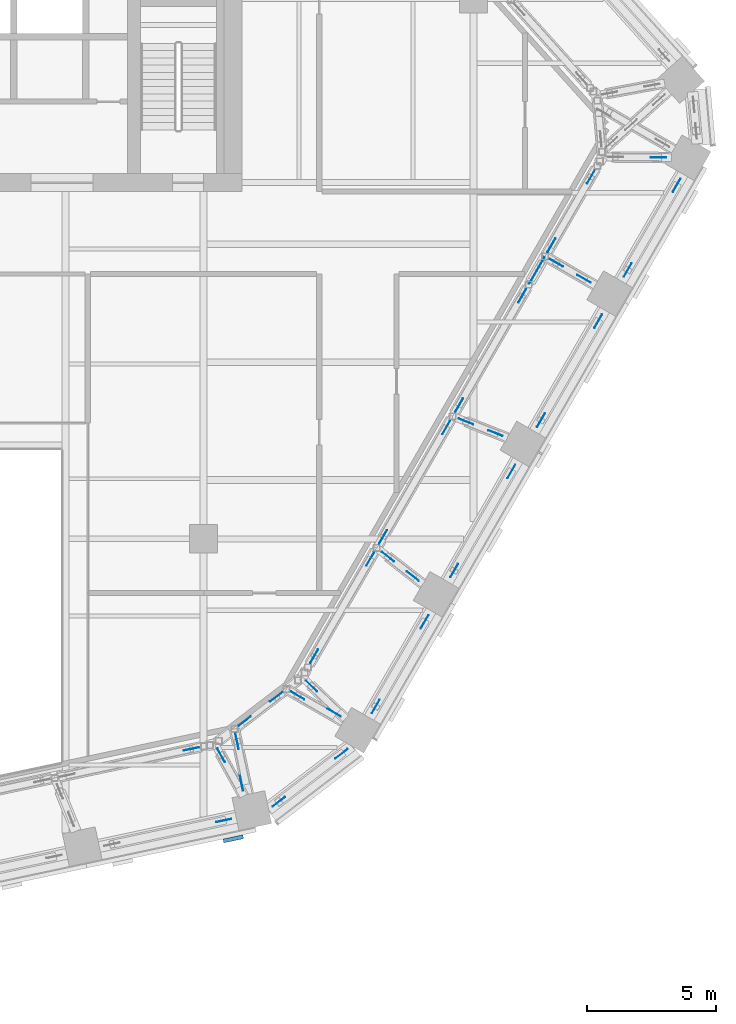
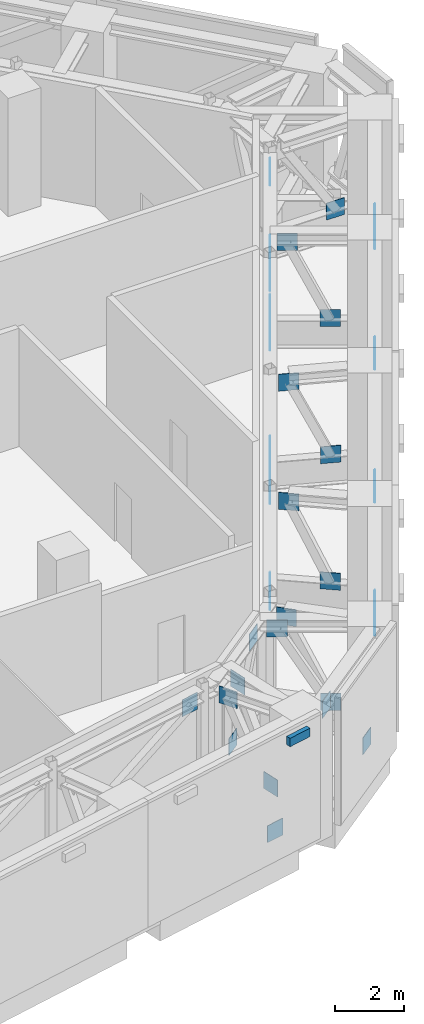
# One storey, part 22 of 26: 38 discrete accessories.
"""IFC4 building model written with IfcOpenShell, lengths in metres."""

from ifc_helpers import new_model, si_unit, direction, frame, origin, origin_2d, place, context, subcontext, project, spatial, rectangle, extrude, material, type_object, element, save


model = new_model("IFC4")

# Units and contexts
model_context = context("Model", 3, precision=1e-05, world=origin(), true_north=direction((0.0, 1.0)))
body_context = subcontext(model_context, "Body", "Model", "MODEL_VIEW")
ifc_project = project(units=[si_unit("LENGTHUNIT", "METRE"), si_unit("AREAUNIT", "SQUARE_METRE"), si_unit("VOLUMEUNIT", "CUBIC_METRE"), si_unit("PLANEANGLEUNIT", "RADIAN"), si_unit("MASSUNIT", "GRAM", prefix="KILO")], contexts=[model_context])

# Site, building, storey
site_placement = place(None, origin())
site = spatial("IfcSite", under=ifc_project, at=site_placement, CompositionType="ELEMENT")
building_placement = place(site_placement, origin())
building = spatial("IfcBuilding", under=site, at=building_placement, Name="Isthmus Gate Tower", CompositionType="ELEMENT")
storey_placement = place(building_placement, frame((0.0, 0.0, 207.300048828125)))
storey = spatial("IfcBuildingStorey", under=building, at=storey_placement, Name="L52", CompositionType="ELEMENT", Elevation=207.300048828125)

# Discrete accessories
ifc_material_1 = material(Name="Structural steel ASTM A572 Gr 50, white paint system", Category="steel")
discrete_accessory_type_1 = type_object("IfcDiscreteAccessoryType", Name="FIN BRACKET 784 X 150 X 300", PredefinedType="BRACKET", material=ifc_material_1)
discrete_accessory_placement = place(storey_placement, frame((14.65869140625, -25.165283203125, 3.94970703125), z_axis=(0.0, 0.0, 1.0), x_axis=(0.207911690818, -0.978147600734, 0.0)))
element("IfcDiscreteAccessory", 1, at=discrete_accessory_placement, inside=storey, type_object=discrete_accessory_type_1, Name="FIN BRACKET", PredefinedType="BRACKET", context=body_context, shape_type="SweptSolid", body=[
    extrude(rectangle(XDim=0.14990234375, YDim=0.78369140625, at=origin_2d()), origin(), (0.0, 0.0, 1.0), 0.300048828125),
])
ifc_material_2 = material(Name="Structural steel ASTM A992 Gr 50", Category="steel")
discrete_accessory_type_2 = type_object("IfcDiscreteAccessoryType", Name="GUSSET PLATE 600 X 20", PredefinedType="USERDEFINED", material=ifc_material_2)
for number, where, z_axis, x_axis, name in (
    (2, (31.896728515625, 0.24658203125, 0.163330078125), (0.0, 0.0, 1.0), (-0.5, -0.866025403784, 0.0), "GUSSET PLATE"),
    (3, (29.99658203125, -3.04443359375, 3.4365234375), (0.0, 0.0, 1.0), (-0.5, -0.866025403784, 0.0), "GUSSET PLATE"),
    (4, (28.8466796875, -5.0361328125, 0.163330078125), (0.0, 0.0, 1.0), (-0.5, -0.866025403784, 0.0), "GUSSET PLATE"),
    (5, (26.62158203125, -8.89013671875, 3.4365234375), (0.0, 0.0, 1.0), (-0.5, -0.866025403784, 0.0), "GUSSET PLATE"),
    (6, (25.471435546875, -10.882080078125, 0.163330078125), (0.0, 0.0, 1.0), (-0.5, -0.866025403784, 0.0), "GUSSET PLATE"),
    (7, (23.24658203125, -14.73583984375, 3.4365234375), (0.0, 0.0, 1.0), (-0.5, -0.866025403784, 0.0), "GUSSET PLATE"),
    (8, (22.096435546875, -16.727783203125, 0.163330078125), (0.0, 0.0, 1.0), (-0.5, -0.866025403784, 0.0), "GUSSET PLATE"),
    (9, (20.196533203125, -20.018798828125, 3.4365234375), (0.0, 0.0, 1.0), (-0.5, -0.866025403784, 0.0), "GUSSET PLATE"),
    (10, (18.86328125, -21.860595703125, 0.163330078125), (0.0, 0.0, 1.0), (-0.794188594387, -0.607671355706, 0.0), "GUSSET PLATE"),
    (11, (16.4306640625, -23.72216796875, 3.4365234375), (0.0, 0.0, 1.0), (-0.794188594387, -0.607671355706, 0.0), "GUSSET PLATE"),
    (12, (14.283935546875, -24.45263671875, 0.163330078125), (0.0, 0.0, 1.0), (-0.978147600734, -0.207911690818, 0.0), "GUSSET PLATE"),
    (13, (14.97900390625, -23.001708984375, 0.680908203125), (0.0, 0.0, 1.0), (-0.207911690818, 0.978147600734, 0.0), "GUSSET PLATE"),
    (14, (14.806396484375, -21.379638671875, 3.384033203125), (0.0, 0.0, 1.0), (-0.207911690818, 0.978147600734, 0.0), "GUSSET PLATE"),
    (15, (18.577880859375, -20.2548828125, 0.680908203125), (0.0, 0.0, 1.0), (-0.866025403784, 0.5, 0.0), "GUSSET PLATE"),
    (16, (17.158447265625, -19.5927734375, 3.384033203125), (0.0, 0.0, 1.0), (-0.866025403784, 0.5, 0.0), "GUSSET PLATE"),
    (17, (21.635498046875, -14.94873046875, 0.680908203125), (0.0, 0.0, 1.0), (-0.787935798001, 0.615757402089, 0.0), "GUSSET PLATE"),
    (18, (20.671630859375, -14.195556640625, 3.384033203125), (0.0, 0.0, 1.0), (-0.787935798001, 0.615757402089, 0.0), "GUSSET PLATE"),
    (19, (24.846923828125, -9.388916015625, 0.680908203125), (0.0, 0.0, 1.0), (-0.930195526157, 0.367064412764, 0.0), "GUSSET PLATE"),
    (20, (23.70654296875, -8.93896484375, 3.384033203125), (0.0, 0.0, 1.0), (-0.930195526157, 0.367064412764, 0.0), "GUSSET PLATE"),
    (21, (28.2958984375, -3.390380859375, 0.680908203125), (0.0, 0.0, 1.0), (-0.866025403784, 0.5, 0.0), "GUSSET PLATE"),
    (22, (27.213134765625, -2.765380859375, 3.384033203125), (0.0, 0.0, 1.0), (-0.866025403784, 0.5, 0.0), "GUSSET PLATE"),
    (23, (31.19189453125, 1.329345703125, 0.680908203125), (0.0, 0.0, 1.0), (-0.999947139277, 0.010281957563, 0.0), "GUSSET PLATE"),
    (24, (17.695068359375, -19.22265625, 3.384033203125), (0.0, 0.0, 1.0), (-0.722895004963, 0.690957894376, 0.0), "GUSSET PLATE"),
    (25, (14.18115234375, -21.912109375, 3.384033203125), (0.0, 0.0, 1.0), (-0.485428284213, 0.874276489954, 0.0), "GUSSET PLATE"),
    (26, (27.030517578125, -2.08203125, 0.680908203125), (0.0, 0.0, 1.0), (0.5, 0.866025403784, 0.0), "GUSSET PLATE"),
    (27, (28.56298828125, 0.572509765625, 3.384033203125), (0.0, 0.0, 1.0), (0.5, 0.866025403784, 0.0), "GUSSET PLATE"),
    (28, (26.312744140625, -3.3251953125, 0.680908203125), (0.0, 0.0, 1.0), (0.5, 0.866025403784, 0.0), "GUSSET PLATE"),
    (29, (26.612548828125, -2.805419921875, 3.384033203125), (0.0, 0.0, 1.0), (0.5, 0.866025403784, 0.0), "GUSSET PLATE"),
    (30, (23.439453125, -8.3017578125, 0.680908203125), (0.0, 0.0, 1.0), (0.5, 0.866025403784, 0.0), "GUSSET PLATE"),
    (31, (25.89501953125, -4.048583984375, 3.384033203125), (0.0, 0.0, 1.0), (0.5, 0.866025403784, 0.0), "GUSSET PLATE"),
    (32, (22.939453125, -9.167724609375, 0.680908203125), (0.0, 0.0, 1.0), (-0.5, -0.866025403784, 0.0), "GUSSET PLATE"),
    (33, (20.48388671875, -13.4208984375, 3.384033203125), (0.0, 0.0, 1.0), (-0.5, -0.866025403784, 0.0), "GUSSET PLATE"),
    (34, (19.98388671875, -14.286865234375, 0.680908203125), (0.0, 0.0, 1.0), (-0.5, -0.866025403784, 0.0), "GUSSET PLATE"),
    (35, (17.803955078125, -18.062744140625, 3.384033203125), (0.0, 0.0, 1.0), (-0.5, -0.866025403784, 0.0), "GUSSET PLATE"),
    (36, (15.099609375, -20.586669921875, 0.680908203125), (0.0, 0.0, 1.0), (0.794188594387, 0.607671355706, 0.0), "GUSSET PLATE"),
    (37, (16.328125, -19.646484375, 3.384033203125), (0.0, 0.0, 1.0), (0.794188594387, 0.607671355706, 0.0), "GUSSET PLATE"),
    (38, (13.03271484375, -21.66748046875, 3.384033203125), (0.0, 0.0, 1.0), (0.978147600734, 0.207911690818, 0.0), "GUSSET PLATE"),
):
    element("IfcDiscreteAccessory", number, at=place(storey_placement, frame(where, z_axis=z_axis, x_axis=x_axis)), inside=storey, type_object=discrete_accessory_type_2, Name=name, ObjectType="GUSSET PLATE", PredefinedType="USERDEFINED", context=body_context, shape_type="SweptSolid", body=[
        extrude(rectangle(XDim=0.60009765625, YDim=0.02001953125, at=origin_2d()), origin(), (0.0, 0.0, 1.0), 0.60009765625),
    ])

save(model, "model.ifc")
